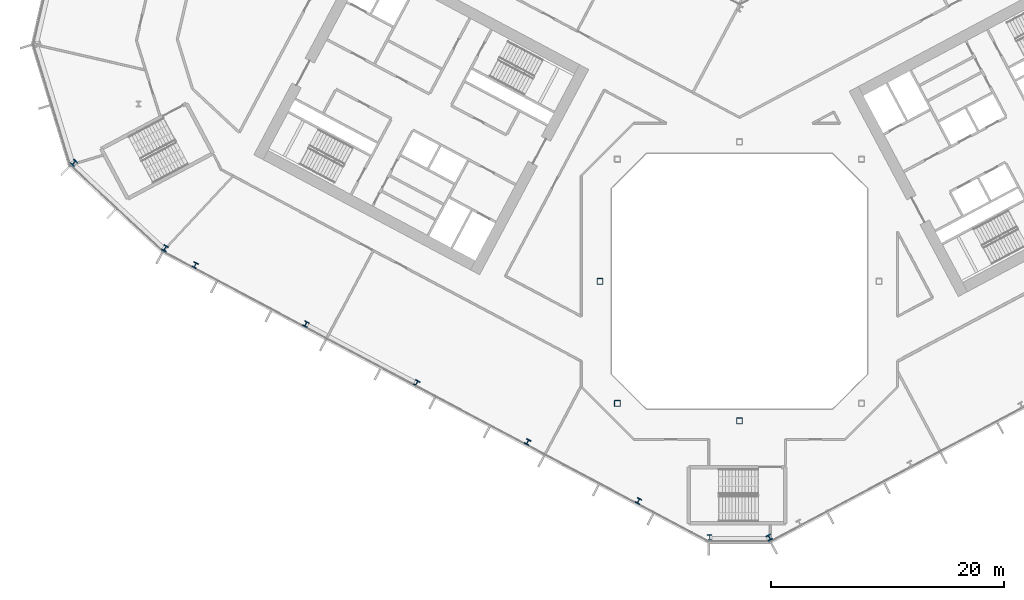
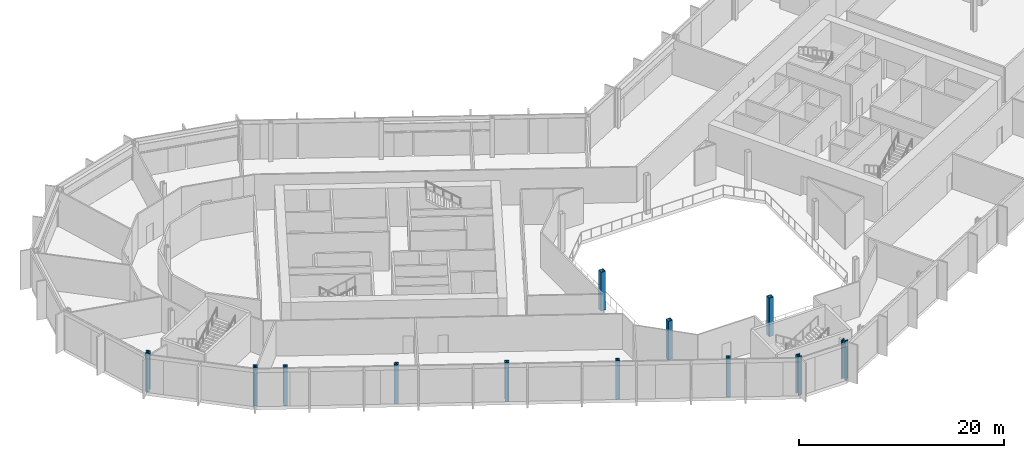
# One storey, part 1 of 30: 12 columns.
"""IFC4 building model written with IfcOpenShell, lengths in metres."""

from ifc_helpers import new_model, si_unit, direction, frame, origin, origin_2d, place, context, subcontext, project, spatial, hollow_rectangle, i_section, extrude, material, material_profile, profile_set, type_object, element, save


model = new_model("IFC4")

# Units and contexts
model_context = context("Model", 3, precision=1e-05, world=origin(), true_north=direction((0.0, 1.0)))
body_context = subcontext(model_context, "Body", "Model", "MODEL_VIEW")
ifc_project = project(units=[si_unit("LENGTHUNIT", "METRE"), si_unit("AREAUNIT", "SQUARE_METRE"), si_unit("VOLUMEUNIT", "CUBIC_METRE"), si_unit("PLANEANGLEUNIT", "RADIAN"), si_unit("MASSUNIT", "GRAM", prefix="KILO")], contexts=[model_context])

# Site, building, storey
site_placement = place(None, origin())
site = spatial("IfcSite", under=ifc_project, at=site_placement, CompositionType="ELEMENT")
building_placement = place(site_placement, origin())
building = spatial("IfcBuilding", under=site, at=building_placement, Name="Cormorant Relay Tower", CompositionType="ELEMENT")
storey_placement = place(building_placement, frame((0.0, 0.0, 89.199951171875)))
storey = spatial("IfcBuildingStorey", under=building, at=storey_placement, Name="L17", CompositionType="ELEMENT", Elevation=89.199951171875)

# Columns
ifc_material_1 = material(Name="Steel ASTM A500 Grade C (Fy 345 MPa)", Category="steel")
ifc_material_profile_1 = material_profile(ifc_material_1, hollow_rectangle(XDim=0.508056640625, YDim=0.508056640625, WallThickness=0.020751953125, InnerFilletRadius=0.01025390625, OuterFilletRadius=0.031005859375, at=origin_2d()), Name="HSS508x508x21")
ifc_profile_set_1 = profile_set([ifc_material_profile_1], Name="Steel ASTM A500 Grade C (Fy 345 MPa)")
column_type_1 = type_object("IfcColumnType", Name="Column HSS508x508x21", PredefinedType="COLUMN", material=ifc_profile_set_1)
for number, where, z_axis, x_axis, name in (
    (1, (0.0, -12.0, 0.0), (0.0, 0.0, 1.0), (1.0, 0.0, 0.0), "Column L17-007"),
    (2, (-10.5, -10.5, 0.0), (0.0, 0.0, 1.0), (1.0, 0.0, 0.0), "Column L17-009"),
    (3, (-12.0, 0.0, 0.0), (0.0, 0.0, 1.0), (1.0, 0.0, 0.0), "Column L17-015"),
):
    element("IfcColumn", number, at=place(storey_placement, frame(where, z_axis=z_axis, x_axis=x_axis)), inside=storey, type_object=column_type_1, Name=name, PredefinedType="COLUMN", context=body_context, shape_type="SweptSolid", body=[
        extrude(hollow_rectangle(XDim=0.508056640625, YDim=0.508056640625, WallThickness=0.020751953125, InnerFilletRadius=0.01025390625, OuterFilletRadius=0.031005859375, at=origin_2d()), origin(), (0.0, 0.0, 1.0), 4.60009765625),
    ])
ifc_material_2 = material(Name="Steel ASTM A992 (Fy 345 MPa)", Category="steel")
ifc_material_profile_2 = material_profile(ifc_material_2, i_section(OverallWidth=0.42431640625, OverallDepth=0.47509765625, WebThickness=0.0478515625, FlangeThickness=0.0771484375, FilletRadius=0.014892578125, at=origin_2d()), Name="W360x634")
ifc_profile_set_2 = profile_set([ifc_material_profile_2], Name="Steel ASTM A992 (Fy 345 MPa)")
column_type_2 = type_object("IfcColumnType", Name="Column W360x634", PredefinedType="COLUMN", material=ifc_profile_set_2)
for number, where, z_axis, x_axis, name in (
    (4, (-8.68701171875, -18.89306640625, 0.0), (0.0, 0.0, 1.0), (0.882947592859, -0.469471562786, 0.0), "Column L17-004"),
    (5, (-18.222900390625, -13.822998046875, 0.0), (0.0, 0.0, 1.0), (0.882947592859, -0.469471562786, 0.0), "Column L17-006"),
    (6, (-27.758056640625, -8.7529296875, 0.0), (0.0, 0.0, 1.0), (0.882947592859, -0.469471562786, 0.0), "Column L17-011"),
    (7, (-37.2939453125, -3.681884765625, 0.0), (0.0, 0.0, 1.0), (0.882947592859, -0.469471562786, 0.0), "Column L17-013"),
    (8, (-46.830078125, 1.387939453125, 0.0), (0.0, 0.0, 1.0), (0.882947592859, -0.469471562786, 0.0), "Column L17-017"),
):
    element("IfcColumn", number, at=place(storey_placement, frame(where, z_axis=z_axis, x_axis=x_axis)), inside=storey, type_object=column_type_2, Name=name, PredefinedType="COLUMN", context=body_context, shape_type="SweptSolid", body=[
        extrude(i_section(OverallWidth=0.42431640625, OverallDepth=0.47509765625, WebThickness=0.0478515625, FlangeThickness=0.0771484375, FilletRadius=0.014892578125, at=origin_2d()), origin(), (0.0, 0.0, 1.0), 4.60009765625),
    ])
ifc_material_3 = material(Name="Steel ASTM A992 (Fy 345 MPa)", Category="steel")
ifc_material_profile_3 = material_profile(ifc_material_3, i_section(OverallWidth=0.43701171875, OverallDepth=0.51318359375, WebThickness=0.060546875, FlangeThickness=0.096923828125, FilletRadius=0.015380859375, at=origin_2d()), Name="W360x818")
ifc_profile_set_3 = profile_set([ifc_material_profile_3], Name="Steel ASTM A992 (Fy 345 MPa)")
column_type_3 = type_object("IfcColumnType", Name="Column W360x818", PredefinedType="COLUMN", material=ifc_profile_set_3)
for number, where, z_axis, x_axis, name in (
    (9, (-2.56689453125, -22.0458984375, 0.0), (0.0, 0.0, 1.0), (1.0, 0.0, 0.0), "Column L17-001"),
    (10, (2.56689453125, -22.0458984375, 0.0), (0.0, 0.0, 1.0), (0.882947592859, 0.469471562786, 0.0), "Column L17-002"),
    (11, (-49.412109375, 2.8369140625, 0.0), (0.0, 0.0, 1.0), (0.882947592859, -0.469471562786, 0.0), "Column L17-018"),
    (12, (-57.2451171875, 10.18310546875, 0.0), (0.0, 0.0, 1.0), (0.731353701619, -0.681998360062, 0.0), "Column L17-021"),
):
    element("IfcColumn", number, at=place(storey_placement, frame(where, z_axis=z_axis, x_axis=x_axis)), inside=storey, type_object=column_type_3, Name=name, PredefinedType="COLUMN", context=body_context, shape_type="SweptSolid", body=[
        extrude(i_section(OverallWidth=0.43701171875, OverallDepth=0.51318359375, WebThickness=0.060546875, FlangeThickness=0.096923828125, FilletRadius=0.015380859375, at=origin_2d()), origin(), (0.0, 0.0, 1.0), 4.60009765625),
    ])

save(model, "model.ifc")
